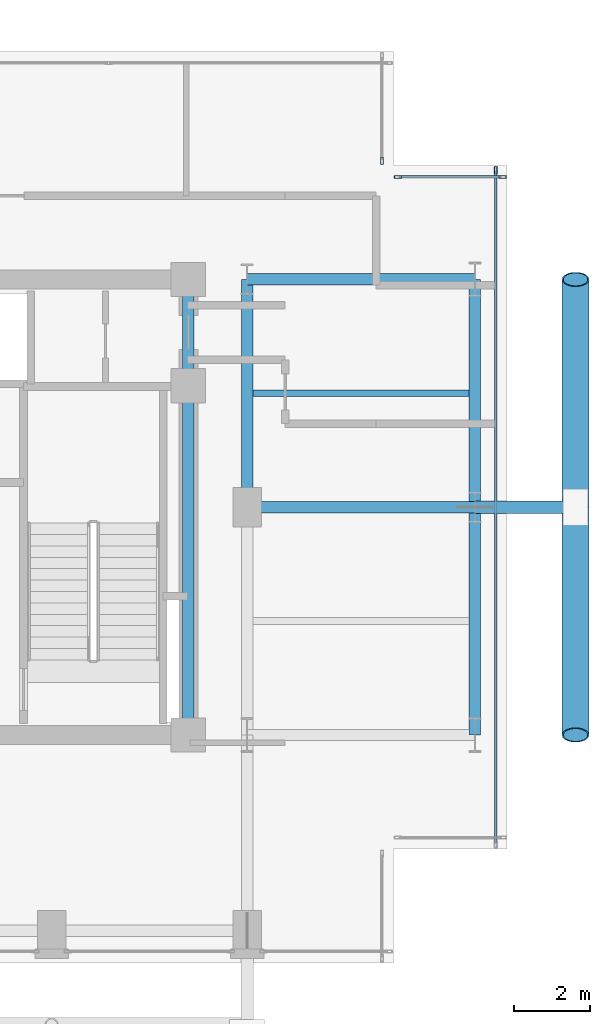
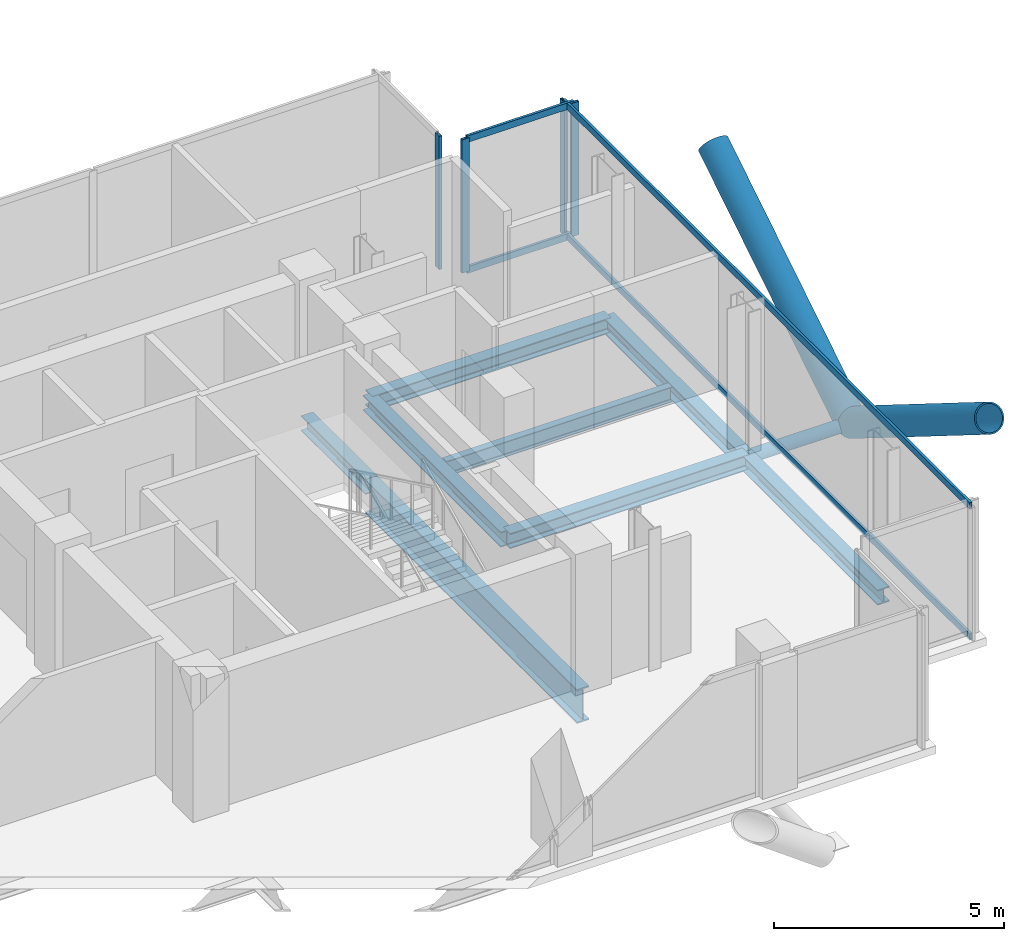
# One storey, part 11 of 21: 11 members, 8 beams, 3 elements without a shape of their own.
"""IFC4 building model written with IfcOpenShell, lengths in metres."""

from ifc_helpers import new_model, si_unit, direction, frame, origin, origin_2d, place, context, subcontext, project, spatial, hollow_rectangle, hollow_circle, i_section, extrude, material, layer, layer_set, material_profile, profile_set, type_object, element, aggregate, save


model = new_model("IFC4")

# Units and contexts
model_context = context("Model", 3, precision=1e-05, world=origin(), true_north=direction((0.0, 1.0)))
body_context = subcontext(model_context, "Body", "Model", "MODEL_VIEW")
ifc_project = project(units=[si_unit("LENGTHUNIT", "METRE"), si_unit("AREAUNIT", "SQUARE_METRE"), si_unit("VOLUMEUNIT", "CUBIC_METRE"), si_unit("PLANEANGLEUNIT", "RADIAN"), si_unit("MASSUNIT", "GRAM", prefix="KILO"), si_unit("THERMODYNAMICTEMPERATUREUNIT", "KELVIN"), si_unit("POWERUNIT", "WATT")], contexts=[model_context])

# Site, building, storey
site_placement = place(None, origin())
site = spatial("IfcSite", under=ifc_project, at=site_placement, CompositionType="ELEMENT")
building_placement = place(site_placement, origin())
building = spatial("IfcBuilding", under=site, at=building_placement, Name="Svarakhadi Broadcast Tower", CompositionType="ELEMENT")
storey_placement = place(building_placement, frame((0.0, 0.0, 223.64990234375)))
storey = spatial("IfcBuildingStorey", under=building, at=storey_placement, Name="L55", CompositionType="ELEMENT", Elevation=223.64990234375)

# Beam
ifc_material_1 = material(Name="Steel S355J2 (IS 2062 E350C)", Category="steel")
ifc_material_profile_1 = material_profile(ifc_material_1, i_section(OverallWidth=0.179931640625, OverallDepth=0.39990234375, WebThickness=0.008544921875, FlangeThickness=0.013427734375, FilletRadius=0.02099609375, at=origin_2d()), Name="NPB 400x180x66")
ifc_profile_set_1 = profile_set([ifc_material_profile_1], Name="Steel S355J2 (IS 2062 E350C)")
beam_type_1 = type_object("IfcBeamType", Name="Beam_NPB400", PredefinedType="BEAM", material=ifc_profile_set_1)
beam_1_placement = place(storey_placement, frame((35.31005859375, 15.0, -0.409912109375), z_axis=(1.0, 0.0, 0.0), x_axis=(0.0, 1.0, 0.0)))
element("IfcBeam", 1, at=beam_1_placement, inside=storey, type_object=beam_type_1, Name="L55 Secondary Composite Beam SB017", PredefinedType="BEAM", context=body_context, shape_type="SweptSolid", body=[
    extrude(i_section(OverallWidth=0.179931640625, OverallDepth=0.39990234375, WebThickness=0.008544921875, FlangeThickness=0.013427734375, FilletRadius=0.02099609375, at=origin_2d()), origin(), (0.0, 0.0, 1.0), 5.679931640625),
])

# Curtain wall, member
ifc_material_2 = material(Name="Anodised Bronze Aluminium AA 6063-T6", Category="aluminium")
ifc_layer = layer(ifc_material_2, 0.18994140625)
ifc_layer_set = layer_set([ifc_layer], Name="Anodised Bronze Aluminium AA 6063-T6")
curtain_wall_type = type_object("IfcCurtainWallType", Name="CW_Sys_04", PredefinedType="NOTDEFINED", material=ifc_layer_set)
curtain_wall_1_placement = place(storey_placement, origin())
curtain_wall_1 = element("IfcCurtainWall", 2, at=curtain_wall_1_placement, inside=storey, type_object=curtain_wall_type, Name="L55 Unitised Facade Curtain Wall 11", PredefinedType="NOTDEFINED")
ifc_material_profile_2 = material_profile(ifc_material_2, hollow_rectangle(XDim=0.070068359375, YDim=0.18994140625, WallThickness=0.005615234375, at=origin_2d()), Name="ALU MULLION 190x70x6")
ifc_profile_set_2 = profile_set([ifc_material_profile_2], Name="Anodised Bronze Aluminium AA 6063-T6")
member_type_1 = type_object("IfcMemberType", Name="CW_Sys_04_Mul", PredefinedType="MULLION", material=ifc_profile_set_2)
member_1_placement = place(storey_placement, frame((38.699951171875, 21.125, 0.0), z_axis=(0.0, 0.0, 1.0), x_axis=(1.0, 0.0, 0.0)))
member_1 = element("IfcMember", 3, at=member_1_placement, type_object=member_type_1, Name="CW-04 mullion 2", PredefinedType="MULLION", context=body_context, shape_type="SweptSolid", body=[
    extrude(hollow_rectangle(XDim=0.070068359375, YDim=0.18994140625, WallThickness=0.005615234375, at=origin_2d()), origin(), (0.0, 0.0, 1.0), 3.5400390625),
])
aggregate(curtain_wall_1, [member_1])

# Curtain wall, members
curtain_wall_2_placement = place(storey_placement, origin())
curtain_wall_2 = element("IfcCurtainWall", 4, at=curtain_wall_2_placement, inside=storey, type_object=curtain_wall_type, Name="L55 Unitised Facade Curtain Wall 12", PredefinedType="NOTDEFINED")
member_2_placement = place(storey_placement, frame((39.125, 20.699951171875, 0.0), z_axis=(0.0, 0.0, 1.0), x_axis=(0.0, 1.0, 0.0)))
member_2 = element("IfcMember", 5, at=member_2_placement, type_object=member_type_1, Name="CW-04 mullion 1", PredefinedType="MULLION", context=body_context, shape_type="SweptSolid", body=[
    extrude(hollow_rectangle(XDim=0.070068359375, YDim=0.18994140625, WallThickness=0.005615234375, at=origin_2d()), origin(), (0.0, 0.0, 1.0), 3.5400390625),
])
member_3_placement = place(storey_placement, frame((41.875, 20.699951171875, 0.0), z_axis=(0.0, 0.0, 1.0), x_axis=(0.0, 1.0, 0.0)))
member_3 = element("IfcMember", 6, at=member_3_placement, type_object=member_type_1, Name="CW-04 mullion 2", PredefinedType="MULLION", context=body_context, shape_type="SweptSolid", body=[
    extrude(hollow_rectangle(XDim=0.070068359375, YDim=0.18994140625, WallThickness=0.005615234375, at=origin_2d()), origin(), (0.0, 0.0, 1.0), 3.5400390625),
])

# Curtain wall, member
curtain_wall_3_placement = place(storey_placement, origin())
curtain_wall_3 = element("IfcCurtainWall", 7, at=curtain_wall_3_placement, inside=storey, type_object=curtain_wall_type, Name="L55 Unitised Facade Curtain Wall 13", PredefinedType="NOTDEFINED")
member_4_placement = place(storey_placement, frame((41.699951171875, 20.875, 0.0), z_axis=(0.0, 0.0, 1.0), x_axis=(1.0, 0.0, 0.0)))
member_4 = element("IfcMember", 8, at=member_4_placement, type_object=member_type_1, Name="CW-04 mullion 1", PredefinedType="MULLION", context=body_context, shape_type="SweptSolid", body=[
    extrude(hollow_rectangle(XDim=0.070068359375, YDim=0.18994140625, WallThickness=0.005615234375, at=origin_2d()), origin(), (0.0, 0.0, 1.0), 3.5400390625),
])

# Member
ifc_material_profile_3 = material_profile(ifc_material_2, hollow_rectangle(XDim=0.06494140625, YDim=0.175048828125, WallThickness=0.0048828125, at=origin_2d()), Name="ALU TRANSOM 175x65x5")
ifc_profile_set_3 = profile_set([ifc_material_profile_3], Name="Anodised Bronze Aluminium AA 6063-T6")
member_type_2 = type_object("IfcMemberType", Name="CW_Sys_04_Trn", PredefinedType="USERDEFINED", material=ifc_profile_set_3)
member_5_placement = place(storey_placement, frame((39.159912109375, 20.699951171875, 0.03271484375), z_axis=(1.0, 0.0, 0.0), x_axis=(0.0, 1.0, 0.0)))
member_5 = element("IfcMember", 9, at=member_5_placement, type_object=member_type_2, Name="CW-04 transom 1.1", ObjectType="TRANSOM", PredefinedType="USERDEFINED", context=body_context, shape_type="SweptSolid", body=[
    extrude(hollow_rectangle(XDim=0.06494140625, YDim=0.175048828125, WallThickness=0.0048828125, at=origin_2d()), origin(), (0.0, 0.0, 1.0), 2.68017578125),
])

member_6_placement = place(storey_placement, frame((39.159912109375, 20.699951171875, 3.507568359375), z_axis=(1.0, 0.0, 0.0), x_axis=(0.0, 1.0, 0.0)))
member_6 = element("IfcMember", 10, at=member_6_placement, type_object=member_type_2, Name="CW-04 transom 1.2", ObjectType="TRANSOM", PredefinedType="USERDEFINED", context=body_context, shape_type="SweptSolid", body=[
    extrude(hollow_rectangle(XDim=0.06494140625, YDim=0.175048828125, WallThickness=0.0048828125, at=origin_2d()), origin(), (0.0, 0.0, 1.0), 2.68017578125),
])

aggregate(curtain_wall_2, [member_2, member_3, member_5, member_6])

member_7_placement = place(storey_placement, frame((41.699951171875, 20.840087890625, 0.03271484375), z_axis=(0.0, -1.0, 0.0), x_axis=(1.0, 0.0, 0.0)))
member_7 = element("IfcMember", 11, at=member_7_placement, type_object=member_type_2, Name="CW-04 transom 1.1", ObjectType="TRANSOM", PredefinedType="USERDEFINED", context=body_context, shape_type="SweptSolid", body=[
    extrude(hollow_rectangle(XDim=0.06494140625, YDim=0.175048828125, WallThickness=0.0048828125, at=origin_2d()), origin(), (0.0, 0.0, 1.0), 17.68017578125),
])

member_8_placement = place(storey_placement, frame((41.699951171875, 20.840087890625, 3.507568359375), z_axis=(0.0, -1.0, 0.0), x_axis=(1.0, 0.0, 0.0)))
member_8 = element("IfcMember", 12, at=member_8_placement, type_object=member_type_2, Name="CW-04 transom 1.2", ObjectType="TRANSOM", PredefinedType="USERDEFINED", context=body_context, shape_type="SweptSolid", body=[
    extrude(hollow_rectangle(XDim=0.06494140625, YDim=0.175048828125, WallThickness=0.0048828125, at=origin_2d()), origin(), (0.0, 0.0, 1.0), 17.68017578125),
])

aggregate(curtain_wall_3, [member_4, member_7, member_8])

# Members
ifc_material_3 = material(Name="Steel S460ML (IS 2062 E450BR)", Category="steel")
ifc_material_profile_4 = material_profile(ifc_material_3, hollow_circle(Radius=0.35546875, WallThickness=0.034912109375, at=origin_2d()), Name="CHS 711x35")
ifc_profile_set_4 = profile_set([ifc_material_profile_4], Name="Steel S460ML (IS 2062 E450BR)")
member_type_3 = type_object("IfcMemberType", Name="Exo_Brace_CHS711", PredefinedType="BRACE", material=ifc_profile_set_4)
for number, where, z_axis, x_axis, name in (
    (13, (43.800048828125, 12.0, -0.371826171875), (0.0, -0.847998304005, 0.529998940003), (1.0, 0.0, 0.0), "L55 Exposed Bronze Exoskeleton Diagonal E04"),
    (14, (43.800048828125, 12.0, -0.371826171875), (0.0, 0.847998304005, 0.529998940003), (-1.0, 0.0, 0.0), "L55 Exposed Bronze Exoskeleton Diagonal E05"),
):
    element("IfcMember", number, at=place(storey_placement, frame(where, z_axis=z_axis, x_axis=x_axis)), inside=storey, type_object=member_type_3, Name=name, PredefinedType="BRACE", context=body_context, shape_type="SweptSolid", body=[
        extrude(hollow_circle(Radius=0.35546875, WallThickness=0.034912109375, at=origin_2d()), origin(), (0.0, 0.0, 1.0), 7.075439453125),
    ])
ifc_material_profile_5 = material_profile(ifc_material_3, hollow_circle(Radius=0.161865234375, WallThickness=0.01611328125, at=origin_2d()), Name="CHS 323.9x16")
ifc_profile_set_5 = profile_set([ifc_material_profile_5], Name="Steel S460ML (IS 2062 E450BR)")
member_type_4 = type_object("IfcMemberType", Name="Exo_Radial_Strut_Z2", PredefinedType="STRUT", material=ifc_profile_set_5)
member_9_placement = place(storey_placement, frame((43.800048828125, 12.0, -0.371826171875), z_axis=(-1.0, 0.0, 0.0), x_axis=(0.0, -1.0, 0.0)))
element("IfcMember", 15, at=member_9_placement, inside=storey, type_object=member_type_4, Name="L55 Exoskeleton Radial Tie Strut E04", PredefinedType="STRUT", context=body_context, shape_type="SweptSolid", body=[
    extrude(hollow_circle(Radius=0.161865234375, WallThickness=0.01611328125, at=origin_2d()), origin(), (0.0, 0.0, 1.0), 2.650146484375),
])

# Beams
ifc_material_profile_6 = material_profile(ifc_material_1, i_section(OverallWidth=0.300048828125, OverallDepth=0.39990234375, WebThickness=0.013427734375, FlangeThickness=0.02392578125, FilletRadius=0.027099609375, at=origin_2d()), Name="WPB 400x300x155")
ifc_profile_set_6 = profile_set([ifc_material_profile_6], Name="Steel S355J2 (IS 2062 E350C)")
beam_type_2 = type_object("IfcBeamType", Name="Girder_WPB400", PredefinedType="USERDEFINED", material=ifc_profile_set_6)
for number, where, z_axis, x_axis, name in (
    (16, (35.14990234375, 12.0, -0.409912109375), (1.0, 0.0, 0.0), (0.0, 1.0, 0.0), "L55 Primary E-W Girder G019"),
    (17, (35.14990234375, 18.0, -0.409912109375), (1.0, 0.0, 0.0), (0.0, 1.0, 0.0), "L55 Primary E-W Girder G025"),
):
    element("IfcBeam", number, at=place(storey_placement, frame(where, z_axis=z_axis, x_axis=x_axis)), inside=storey, type_object=beam_type_2, Name=name, ObjectType="GIRDER", PredefinedType="USERDEFINED", context=body_context, shape_type="SweptSolid", body=[
        extrude(i_section(OverallWidth=0.300048828125, OverallDepth=0.39990234375, WebThickness=0.013427734375, FlangeThickness=0.02392578125, FilletRadius=0.027099609375, at=origin_2d()), origin(), (0.0, 0.0, 1.0), 6.0),
    ])
beam_2_placement = place(storey_placement, frame((33.60009765625, 15.199951171875, -0.409912109375), z_axis=(0.0, 1.0, 0.0), x_axis=(-1.0, 0.0, 0.0)))
element("IfcBeam", 18, at=beam_2_placement, inside=storey, type_object=beam_type_2, Name="L55 Primary N-S Girder G055", ObjectType="GIRDER", PredefinedType="USERDEFINED", context=body_context, shape_type="SweptSolid", body=[
    extrude(i_section(OverallWidth=0.300048828125, OverallDepth=0.39990234375, WebThickness=0.013427734375, FlangeThickness=0.02392578125, FilletRadius=0.027099609375, at=origin_2d()), origin(), (0.0, 0.0, 1.0), 2.800048828125),
])
for number, where, z_axis, x_axis, name in (
    (19, (35.14990234375, 12.0, -0.409912109375), (0.0, 1.0, 0.0), (-1.0, 0.0, 0.0), "L55 Primary N-S Girder G058"),
    (20, (41.14990234375, 6.0, -0.409912109375), (0.0, 1.0, 0.0), (-1.0, 0.0, 0.0), "L55 Primary N-S Girder G059"),
    (21, (41.14990234375, 12.0, -0.409912109375), (0.0, 1.0, 0.0), (-1.0, 0.0, 0.0), "L55 Primary N-S Girder G060"),
):
    element("IfcBeam", number, at=place(storey_placement, frame(where, z_axis=z_axis, x_axis=x_axis)), inside=storey, type_object=beam_type_2, Name=name, ObjectType="GIRDER", PredefinedType="USERDEFINED", context=body_context, shape_type="SweptSolid", body=[
        extrude(i_section(OverallWidth=0.300048828125, OverallDepth=0.39990234375, WebThickness=0.013427734375, FlangeThickness=0.02392578125, FilletRadius=0.027099609375, at=origin_2d()), origin(), (0.0, 0.0, 1.0), 6.0),
    ])
ifc_material_profile_7 = material_profile(ifc_material_3, i_section(OverallWidth=0.300048828125, OverallDepth=0.89990234375, WebThickness=0.0185546875, FlangeThickness=0.034912109375, FilletRadius=0.030029296875, at=origin_2d()), Name="WPB 900x300x291")
ifc_profile_set_7 = profile_set([ifc_material_profile_7], Name="Steel S460ML (IS 2062 E450BR)")
beam_type_3 = type_object("IfcBeamType", Name="Girder_WPB900", PredefinedType="USERDEFINED", material=ifc_profile_set_7)
beam_3_placement = place(storey_placement, frame((33.60009765625, 6.0, -0.659912109375), z_axis=(0.0, 1.0, 0.0), x_axis=(-1.0, 0.0, 0.0)))
element("IfcBeam", 22, at=beam_3_placement, inside=storey, type_object=beam_type_3, Name="L55 Primary N-S Girder G054", ObjectType="GIRDER", PredefinedType="USERDEFINED", context=body_context, shape_type="SweptSolid", body=[
    extrude(i_section(OverallWidth=0.300048828125, OverallDepth=0.89990234375, WebThickness=0.0185546875, FlangeThickness=0.034912109375, FilletRadius=0.030029296875, at=origin_2d()), origin(), (0.0, 0.0, 1.0), 9.199951171875),
])

save(model, "model.ifc")
